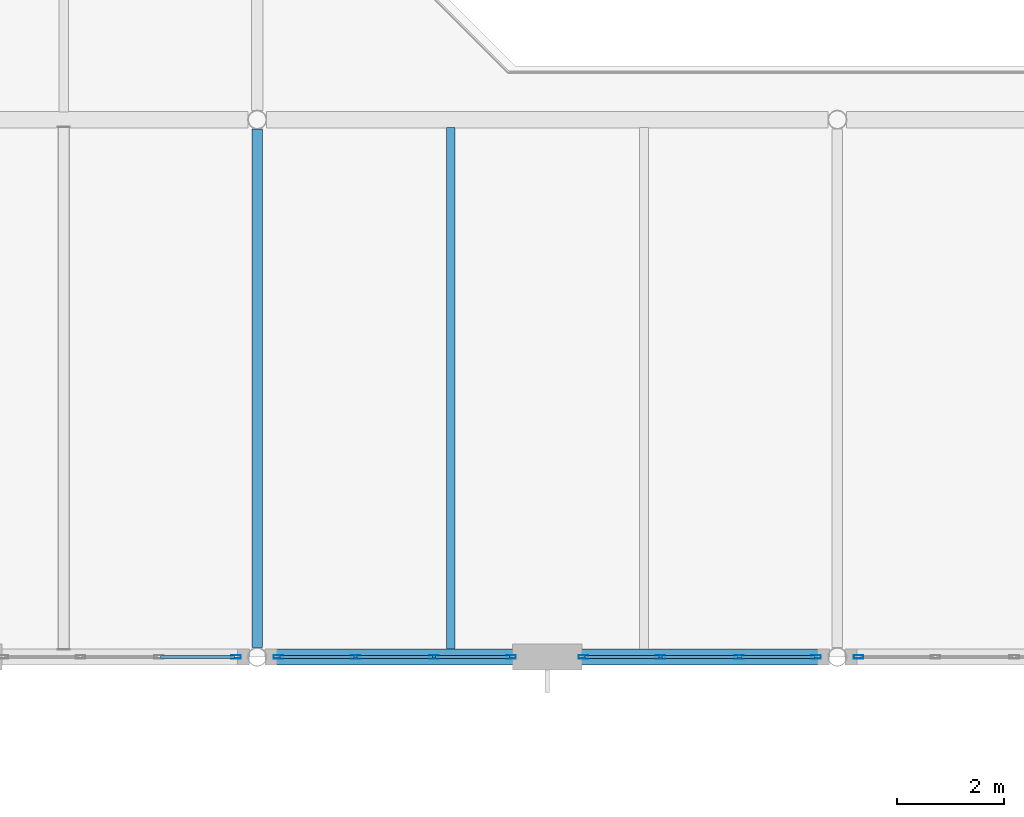
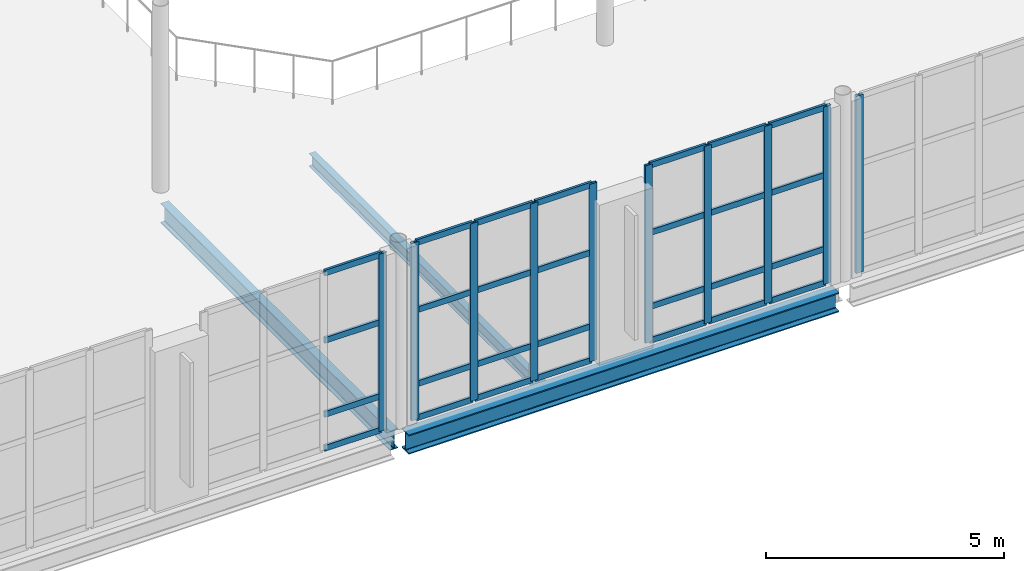
# One storey, part 28 of 100: 38 members, 3 beams, 4 elements without a shape of their own.
"""IFC4 building model written with IfcOpenShell, lengths in metres."""

from ifc_helpers import new_model, si_unit, direction, frame, origin, origin_2d, place, context, subcontext, project, spatial, hollow_rectangle, i_section, extrude, material, layer, layer_set, material_profile, profile_set, type_object, element, aggregate, save


model = new_model("IFC4")

# Units and contexts
model_context = context("Model", 3, precision=1e-05, world=origin(), true_north=direction((0.0, 1.0)))
body_context = subcontext(model_context, "Body", "Model", "MODEL_VIEW")
ifc_project = project(units=[si_unit("LENGTHUNIT", "METRE"), si_unit("AREAUNIT", "SQUARE_METRE"), si_unit("VOLUMEUNIT", "CUBIC_METRE"), si_unit("PLANEANGLEUNIT", "RADIAN"), si_unit("MASSUNIT", "GRAM", prefix="KILO")], contexts=[model_context])

# Site, building, storey
site_placement = place(None, origin())
site = spatial("IfcSite", under=ifc_project, at=site_placement, CompositionType="ELEMENT")
building_placement = place(site_placement, origin())
building = spatial("IfcBuilding", under=site, at=building_placement, Name="Tasgan Crest Museum", CompositionType="ELEMENT")
storey_placement = place(building_placement, frame((0.0, 0.0, 9.60009765625)))
storey = spatial("IfcBuildingStorey", under=building, at=storey_placement, Name="L02", CompositionType="ELEMENT", Elevation=9.60009765625)

# Beams
ifc_material_1 = material(Name="Steel S355J2", Category="steel")
ifc_material_profile_1 = material_profile(ifc_material_1, i_section(OverallWidth=0.300048828125, OverallDepth=0.5, WebThickness=0.014404296875, FlangeThickness=0.028076171875, FilletRadius=0.027099609375, at=origin_2d()), Name="HEB 500")
ifc_profile_set_1 = profile_set([ifc_material_profile_1], Name="Steel S355J2")
beam_type_1 = type_object("IfcBeamType", Name="BM-G-HEB500", PredefinedType="BEAM", material=ifc_profile_set_1)
beam_1_placement = place(storey_placement, frame((64.973876953125, 40.0, -0.489990234375), z_axis=(1.0, 0.0, 0.0), x_axis=(0.0, 1.0, 0.0)))
element("IfcBeam", 1, at=beam_1_placement, inside=storey, type_object=beam_type_1, Name="Girder L02 E 64.8-75.6", PredefinedType="BEAM", context=body_context, shape_type="SweptSolid", body=[
    extrude(i_section(OverallWidth=0.300048828125, OverallDepth=0.5, WebThickness=0.014404296875, FlangeThickness=0.028076171875, FilletRadius=0.027099609375, at=origin_2d()), origin(), (0.0, 0.0, 1.0), 10.452392578125),
])
ifc_material_2 = material(Name="Steel S355J2", Category="steel")
ifc_material_profile_2 = material_profile(ifc_material_2, i_section(OverallWidth=0.199951171875, OverallDepth=0.5, WebThickness=0.01025390625, FlangeThickness=0.01611328125, FilletRadius=0.02099609375, at=origin_2d()), Name="IPE 500")
ifc_profile_set_2 = profile_set([ifc_material_profile_2], Name="Steel S355J2")
beam_type_2 = type_object("IfcBeamType", Name="BM-G-IPE500", PredefinedType="BEAM", material=ifc_profile_set_2)
beam_2_placement = place(storey_placement, frame((64.800048828125, 40.1728515625, -0.489990234375), z_axis=(0.0, 1.0, 0.0), x_axis=(-1.0, 0.0, 0.0)))
element("IfcBeam", 2, at=beam_2_placement, inside=storey, type_object=beam_type_2, Name="Beam L02 7 40.0-50.0", PredefinedType="BEAM", context=body_context, shape_type="SweptSolid", body=[
    extrude(i_section(OverallWidth=0.199951171875, OverallDepth=0.5, WebThickness=0.01025390625, FlangeThickness=0.01611328125, FilletRadius=0.02099609375, at=origin_2d()), origin(), (0.0, 0.0, 1.0), 9.654296875),
])
ifc_material_3 = material(Name="Steel S355J2", Category="steel")
ifc_material_profile_3 = material_profile(ifc_material_3, i_section(OverallWidth=0.159912109375, OverallDepth=0.330078125, WebThickness=0.007568359375, FlangeThickness=0.011474609375, FilletRadius=0.01806640625, at=origin_2d()), Name="IPE 330")
ifc_profile_set_3 = profile_set([ifc_material_profile_3], Name="Steel S355J2")
beam_type_3 = type_object("IfcBeamType", Name="BM-J-IPE330", PredefinedType="JOIST", material=ifc_profile_set_3)
beam_3_placement = place(storey_placement, frame((68.39990234375, 40.14501953125, -0.405029296875), z_axis=(0.0, 1.0, 0.0), x_axis=(-1.0, 0.0, 0.0)))
element("IfcBeam", 3, at=beam_3_placement, inside=storey, type_object=beam_type_3, Name="Secondary joist L02 X=68.4 Y=40.0-50.0", PredefinedType="JOIST", context=body_context, shape_type="SweptSolid", body=[
    extrude(i_section(OverallWidth=0.159912109375, OverallDepth=0.330078125, WebThickness=0.007568359375, FlangeThickness=0.011474609375, FilletRadius=0.01806640625, at=origin_2d()), origin(), (0.0, 0.0, 1.0), 9.7099609375),
])

# Curtain wall, member
ifc_material_4 = material(Name="Triple-Glazed Aluminium Curtain Wall", Category="aluminium")
ifc_layer = layer(ifc_material_4, 0.179931640625, Name="CW-DRUM-X-48")
ifc_layer_set = layer_set([ifc_layer], Name="Triple-Glazed Aluminium Curtain Wall")
curtain_wall_type = type_object("IfcCurtainWallType", Name="CW-DRUM-X-48", PredefinedType="NOTDEFINED", material=ifc_layer_set)
curtain_wall_1_placement = place(storey_placement, origin())
curtain_wall_1 = element("IfcCurtainWall", 4, at=curtain_wall_1_placement, inside=storey, type_object=curtain_wall_type, Name="Curtain wall L02 102", PredefinedType="NOTDEFINED")
ifc_material_5 = material(Name="Anodised Aluminium", Category="aluminium")
ifc_material_profile_4 = material_profile(ifc_material_5, hollow_rectangle(XDim=0.06494140625, YDim=0.179931640625, WallThickness=0.0048828125, at=origin_2d()), Name="ALU MULLION 180x65x5")
ifc_profile_set_4 = profile_set([ifc_material_profile_4], Name="Anodised Aluminium")
member_type_1 = type_object("IfcMemberType", Name="CW-MULLION-180", PredefinedType="MULLION", material=ifc_profile_set_4)
member_1_placement = place(storey_placement, frame((64.405029296875, 40.0, 0.0), z_axis=(0.0, 0.0, 1.0), x_axis=(0.0, 1.0, 0.0)))
member_1 = element("IfcMember", 5, at=member_1_placement, type_object=member_type_1, Name="CW03 mullion 4", PredefinedType="MULLION", context=body_context, shape_type="SweptSolid", body=[
    extrude(hollow_rectangle(XDim=0.06494140625, YDim=0.179931640625, WallThickness=0.0048828125, at=origin_2d()), origin(), (0.0, 0.0, 1.0), 4.559814453125),
])

# Curtain wall, members
curtain_wall_2_placement = place(storey_placement, origin())
curtain_wall_2 = element("IfcCurtainWall", 6, at=curtain_wall_2_placement, inside=storey, type_object=curtain_wall_type, Name="Curtain wall L02 103", PredefinedType="NOTDEFINED")
member_2_placement = place(storey_placement, frame((65.195068359375, 40.0, 0.0), z_axis=(0.0, 0.0, 1.0), x_axis=(0.0, 1.0, 0.0)))
member_2 = element("IfcMember", 7, at=member_2_placement, type_object=member_type_1, Name="CW03 mullion 1", PredefinedType="MULLION", context=body_context, shape_type="SweptSolid", body=[
    extrude(hollow_rectangle(XDim=0.06494140625, YDim=0.179931640625, WallThickness=0.0048828125, at=origin_2d()), origin(), (0.0, 0.0, 1.0), 4.559814453125),
])
member_3_placement = place(storey_placement, frame((66.62841796875, 40.0, 0.0), z_axis=(0.0, 0.0, 1.0), x_axis=(0.0, 1.0, 0.0)))
member_3 = element("IfcMember", 8, at=member_3_placement, type_object=member_type_1, Name="CW03 mullion 2", PredefinedType="MULLION", context=body_context, shape_type="SweptSolid", body=[
    extrude(hollow_rectangle(XDim=0.06494140625, YDim=0.179931640625, WallThickness=0.0048828125, at=origin_2d()), origin(), (0.0, 0.0, 1.0), 4.559814453125),
])
member_4_placement = place(storey_placement, frame((68.091552734375, 40.0, 0.0), z_axis=(0.0, 0.0, 1.0), x_axis=(0.0, 1.0, 0.0)))
member_4 = element("IfcMember", 9, at=member_4_placement, type_object=member_type_1, Name="CW03 mullion 3", PredefinedType="MULLION", context=body_context, shape_type="SweptSolid", body=[
    extrude(hollow_rectangle(XDim=0.06494140625, YDim=0.179931640625, WallThickness=0.0048828125, at=origin_2d()), origin(), (0.0, 0.0, 1.0), 4.559814453125),
])
member_5_placement = place(storey_placement, frame((69.52490234375, 40.0, 0.0), z_axis=(0.0, 0.0, 1.0), x_axis=(0.0, 1.0, 0.0)))
member_5 = element("IfcMember", 10, at=member_5_placement, type_object=member_type_1, Name="CW03 mullion 4", PredefinedType="MULLION", context=body_context, shape_type="SweptSolid", body=[
    extrude(hollow_rectangle(XDim=0.06494140625, YDim=0.179931640625, WallThickness=0.0048828125, at=origin_2d()), origin(), (0.0, 0.0, 1.0), 4.559814453125),
])

curtain_wall_3_placement = place(storey_placement, origin())
curtain_wall_3 = element("IfcCurtainWall", 11, at=curtain_wall_3_placement, inside=storey, type_object=curtain_wall_type, Name="Curtain wall L02 104", PredefinedType="NOTDEFINED")
member_6_placement = place(storey_placement, frame((70.875, 40.0, 0.0), z_axis=(0.0, 0.0, 1.0), x_axis=(0.0, 1.0, 0.0)))
member_6 = element("IfcMember", 12, at=member_6_placement, type_object=member_type_1, Name="CW03 mullion 1", PredefinedType="MULLION", context=body_context, shape_type="SweptSolid", body=[
    extrude(hollow_rectangle(XDim=0.06494140625, YDim=0.179931640625, WallThickness=0.0048828125, at=origin_2d()), origin(), (0.0, 0.0, 1.0), 4.559814453125),
])
member_7_placement = place(storey_placement, frame((72.308349609375, 40.0, 0.0), z_axis=(0.0, 0.0, 1.0), x_axis=(0.0, 1.0, 0.0)))
member_7 = element("IfcMember", 13, at=member_7_placement, type_object=member_type_1, Name="CW03 mullion 2", PredefinedType="MULLION", context=body_context, shape_type="SweptSolid", body=[
    extrude(hollow_rectangle(XDim=0.06494140625, YDim=0.179931640625, WallThickness=0.0048828125, at=origin_2d()), origin(), (0.0, 0.0, 1.0), 4.559814453125),
])
member_8_placement = place(storey_placement, frame((73.771728515625, 40.0, 0.0), z_axis=(0.0, 0.0, 1.0), x_axis=(0.0, 1.0, 0.0)))
member_8 = element("IfcMember", 14, at=member_8_placement, type_object=member_type_1, Name="CW03 mullion 3", PredefinedType="MULLION", context=body_context, shape_type="SweptSolid", body=[
    extrude(hollow_rectangle(XDim=0.06494140625, YDim=0.179931640625, WallThickness=0.0048828125, at=origin_2d()), origin(), (0.0, 0.0, 1.0), 4.559814453125),
])
member_9_placement = place(storey_placement, frame((75.205078125, 40.0, 0.0), z_axis=(0.0, 0.0, 1.0), x_axis=(0.0, 1.0, 0.0)))
member_9 = element("IfcMember", 15, at=member_9_placement, type_object=member_type_1, Name="CW03 mullion 4", PredefinedType="MULLION", context=body_context, shape_type="SweptSolid", body=[
    extrude(hollow_rectangle(XDim=0.06494140625, YDim=0.179931640625, WallThickness=0.0048828125, at=origin_2d()), origin(), (0.0, 0.0, 1.0), 4.559814453125),
])

# Curtain wall, member
curtain_wall_4_placement = place(storey_placement, origin())
curtain_wall_4 = element("IfcCurtainWall", 16, at=curtain_wall_4_placement, inside=storey, type_object=curtain_wall_type, Name="Curtain wall L02 105", PredefinedType="NOTDEFINED")
member_10_placement = place(storey_placement, frame((75.9951171875, 40.0, 0.0), z_axis=(0.0, 0.0, 1.0), x_axis=(0.0, 1.0, 0.0)))
member_10 = element("IfcMember", 17, at=member_10_placement, type_object=member_type_1, Name="CW03 mullion 1", PredefinedType="MULLION", context=body_context, shape_type="SweptSolid", body=[
    extrude(hollow_rectangle(XDim=0.06494140625, YDim=0.179931640625, WallThickness=0.0048828125, at=origin_2d()), origin(), (0.0, 0.0, 1.0), 4.559814453125),
])
aggregate(curtain_wall_4, [member_10])

# Member
ifc_material_6 = material(Name="Anodised Aluminium", Category="aluminium")
ifc_material_profile_5 = material_profile(ifc_material_6, hollow_rectangle(XDim=0.06005859375, YDim=0.14990234375, WallThickness=0.0048828125, at=origin_2d()), Name="ALU TRANSOM 150x60x5")
ifc_profile_set_5 = profile_set([ifc_material_profile_5], Name="Anodised Aluminium")
member_type_2 = type_object("IfcMemberType", Name="CW-TRANSOM-150", PredefinedType="USERDEFINED", material=ifc_profile_set_5)
member_11_placement = place(storey_placement, frame((63.001708984375, 40.0, 0.02978515625), z_axis=(1.0, 0.0, 0.0), x_axis=(0.0, 1.0, 0.0)))
member_11 = element("IfcMember", 18, at=member_11_placement, type_object=member_type_2, Name="CW03 transom 3.1", ObjectType="TRANSOM", PredefinedType="USERDEFINED", context=body_context, shape_type="SweptSolid", body=[
    extrude(hollow_rectangle(XDim=0.06005859375, YDim=0.14990234375, WallThickness=0.0048828125, at=origin_2d()), origin(), (0.0, 0.0, 1.0), 1.373291015625),
])

member_12_placement = place(storey_placement, frame((63.001708984375, 40.0, 0.89990234375), z_axis=(1.0, 0.0, 0.0), x_axis=(0.0, 1.0, 0.0)))
member_12 = element("IfcMember", 19, at=member_12_placement, type_object=member_type_2, Name="CW03 transom 3.2", ObjectType="TRANSOM", PredefinedType="USERDEFINED", context=body_context, shape_type="SweptSolid", body=[
    extrude(hollow_rectangle(XDim=0.06005859375, YDim=0.14990234375, WallThickness=0.0048828125, at=origin_2d()), origin(), (0.0, 0.0, 1.0), 1.373291015625),
])

member_13_placement = place(storey_placement, frame((63.001708984375, 40.0, 2.7998046875), z_axis=(1.0, 0.0, 0.0), x_axis=(0.0, 1.0, 0.0)))
member_13 = element("IfcMember", 20, at=member_13_placement, type_object=member_type_2, Name="CW03 transom 3.3", ObjectType="TRANSOM", PredefinedType="USERDEFINED", context=body_context, shape_type="SweptSolid", body=[
    extrude(hollow_rectangle(XDim=0.06005859375, YDim=0.14990234375, WallThickness=0.0048828125, at=origin_2d()), origin(), (0.0, 0.0, 1.0), 1.373291015625),
])

member_14_placement = place(storey_placement, frame((63.001708984375, 40.0, 4.52978515625), z_axis=(1.0, 0.0, 0.0), x_axis=(0.0, 1.0, 0.0)))
member_14 = element("IfcMember", 21, at=member_14_placement, type_object=member_type_2, Name="CW03 transom 3.4", ObjectType="TRANSOM", PredefinedType="USERDEFINED", context=body_context, shape_type="SweptSolid", body=[
    extrude(hollow_rectangle(XDim=0.06005859375, YDim=0.14990234375, WallThickness=0.0048828125, at=origin_2d()), origin(), (0.0, 0.0, 1.0), 1.373291015625),
])

aggregate(curtain_wall_1, [member_1, member_11, member_12, member_13, member_14])

member_15_placement = place(storey_placement, frame((65.22509765625, 40.0, 0.02978515625), z_axis=(1.0, 0.0, 0.0), x_axis=(0.0, 1.0, 0.0)))
member_15 = element("IfcMember", 22, at=member_15_placement, type_object=member_type_2, Name="CW03 transom 1.1", ObjectType="TRANSOM", PredefinedType="USERDEFINED", context=body_context, shape_type="SweptSolid", body=[
    extrude(hollow_rectangle(XDim=0.06005859375, YDim=0.14990234375, WallThickness=0.0048828125, at=origin_2d()), origin(), (0.0, 0.0, 1.0), 1.373291015625),
])

member_16_placement = place(storey_placement, frame((65.22509765625, 40.0, 0.89990234375), z_axis=(1.0, 0.0, 0.0), x_axis=(0.0, 1.0, 0.0)))
member_16 = element("IfcMember", 23, at=member_16_placement, type_object=member_type_2, Name="CW03 transom 1.2", ObjectType="TRANSOM", PredefinedType="USERDEFINED", context=body_context, shape_type="SweptSolid", body=[
    extrude(hollow_rectangle(XDim=0.06005859375, YDim=0.14990234375, WallThickness=0.0048828125, at=origin_2d()), origin(), (0.0, 0.0, 1.0), 1.373291015625),
])

member_17_placement = place(storey_placement, frame((65.22509765625, 40.0, 2.7998046875), z_axis=(1.0, 0.0, 0.0), x_axis=(0.0, 1.0, 0.0)))
member_17 = element("IfcMember", 24, at=member_17_placement, type_object=member_type_2, Name="CW03 transom 1.3", ObjectType="TRANSOM", PredefinedType="USERDEFINED", context=body_context, shape_type="SweptSolid", body=[
    extrude(hollow_rectangle(XDim=0.06005859375, YDim=0.14990234375, WallThickness=0.0048828125, at=origin_2d()), origin(), (0.0, 0.0, 1.0), 1.373291015625),
])

member_18_placement = place(storey_placement, frame((65.22509765625, 40.0, 4.52978515625), z_axis=(1.0, 0.0, 0.0), x_axis=(0.0, 1.0, 0.0)))
member_18 = element("IfcMember", 25, at=member_18_placement, type_object=member_type_2, Name="CW03 transom 1.4", ObjectType="TRANSOM", PredefinedType="USERDEFINED", context=body_context, shape_type="SweptSolid", body=[
    extrude(hollow_rectangle(XDim=0.06005859375, YDim=0.14990234375, WallThickness=0.0048828125, at=origin_2d()), origin(), (0.0, 0.0, 1.0), 1.373291015625),
])

member_19_placement = place(storey_placement, frame((66.658447265625, 40.0, 0.02978515625), z_axis=(1.0, 0.0, 0.0), x_axis=(0.0, 1.0, 0.0)))
member_19 = element("IfcMember", 26, at=member_19_placement, type_object=member_type_2, Name="CW03 transom 2.1", ObjectType="TRANSOM", PredefinedType="USERDEFINED", context=body_context, shape_type="SweptSolid", body=[
    extrude(hollow_rectangle(XDim=0.06005859375, YDim=0.14990234375, WallThickness=0.0048828125, at=origin_2d()), origin(), (0.0, 0.0, 1.0), 1.4033203125),
])

member_20_placement = place(storey_placement, frame((66.658447265625, 40.0, 0.89990234375), z_axis=(1.0, 0.0, 0.0), x_axis=(0.0, 1.0, 0.0)))
member_20 = element("IfcMember", 27, at=member_20_placement, type_object=member_type_2, Name="CW03 transom 2.2", ObjectType="TRANSOM", PredefinedType="USERDEFINED", context=body_context, shape_type="SweptSolid", body=[
    extrude(hollow_rectangle(XDim=0.06005859375, YDim=0.14990234375, WallThickness=0.0048828125, at=origin_2d()), origin(), (0.0, 0.0, 1.0), 1.4033203125),
])

member_21_placement = place(storey_placement, frame((66.658447265625, 40.0, 2.7998046875), z_axis=(1.0, 0.0, 0.0), x_axis=(0.0, 1.0, 0.0)))
member_21 = element("IfcMember", 28, at=member_21_placement, type_object=member_type_2, Name="CW03 transom 2.3", ObjectType="TRANSOM", PredefinedType="USERDEFINED", context=body_context, shape_type="SweptSolid", body=[
    extrude(hollow_rectangle(XDim=0.06005859375, YDim=0.14990234375, WallThickness=0.0048828125, at=origin_2d()), origin(), (0.0, 0.0, 1.0), 1.4033203125),
])

member_22_placement = place(storey_placement, frame((66.658447265625, 40.0, 4.52978515625), z_axis=(1.0, 0.0, 0.0), x_axis=(0.0, 1.0, 0.0)))
member_22 = element("IfcMember", 29, at=member_22_placement, type_object=member_type_2, Name="CW03 transom 2.4", ObjectType="TRANSOM", PredefinedType="USERDEFINED", context=body_context, shape_type="SweptSolid", body=[
    extrude(hollow_rectangle(XDim=0.06005859375, YDim=0.14990234375, WallThickness=0.0048828125, at=origin_2d()), origin(), (0.0, 0.0, 1.0), 1.4033203125),
])

member_23_placement = place(storey_placement, frame((68.12158203125, 40.0, 0.02978515625), z_axis=(1.0, 0.0, 0.0), x_axis=(0.0, 1.0, 0.0)))
member_23 = element("IfcMember", 30, at=member_23_placement, type_object=member_type_2, Name="CW03 transom 3.1", ObjectType="TRANSOM", PredefinedType="USERDEFINED", context=body_context, shape_type="SweptSolid", body=[
    extrude(hollow_rectangle(XDim=0.06005859375, YDim=0.14990234375, WallThickness=0.0048828125, at=origin_2d()), origin(), (0.0, 0.0, 1.0), 1.37353515625),
])

member_24_placement = place(storey_placement, frame((68.12158203125, 40.0, 0.89990234375), z_axis=(1.0, 0.0, 0.0), x_axis=(0.0, 1.0, 0.0)))
member_24 = element("IfcMember", 31, at=member_24_placement, type_object=member_type_2, Name="CW03 transom 3.2", ObjectType="TRANSOM", PredefinedType="USERDEFINED", context=body_context, shape_type="SweptSolid", body=[
    extrude(hollow_rectangle(XDim=0.06005859375, YDim=0.14990234375, WallThickness=0.0048828125, at=origin_2d()), origin(), (0.0, 0.0, 1.0), 1.37353515625),
])

member_25_placement = place(storey_placement, frame((68.12158203125, 40.0, 2.7998046875), z_axis=(1.0, 0.0, 0.0), x_axis=(0.0, 1.0, 0.0)))
member_25 = element("IfcMember", 32, at=member_25_placement, type_object=member_type_2, Name="CW03 transom 3.3", ObjectType="TRANSOM", PredefinedType="USERDEFINED", context=body_context, shape_type="SweptSolid", body=[
    extrude(hollow_rectangle(XDim=0.06005859375, YDim=0.14990234375, WallThickness=0.0048828125, at=origin_2d()), origin(), (0.0, 0.0, 1.0), 1.37353515625),
])

member_26_placement = place(storey_placement, frame((68.12158203125, 40.0, 4.52978515625), z_axis=(1.0, 0.0, 0.0), x_axis=(0.0, 1.0, 0.0)))
member_26 = element("IfcMember", 33, at=member_26_placement, type_object=member_type_2, Name="CW03 transom 3.4", ObjectType="TRANSOM", PredefinedType="USERDEFINED", context=body_context, shape_type="SweptSolid", body=[
    extrude(hollow_rectangle(XDim=0.06005859375, YDim=0.14990234375, WallThickness=0.0048828125, at=origin_2d()), origin(), (0.0, 0.0, 1.0), 1.37353515625),
])

aggregate(curtain_wall_2, [member_2, member_3, member_4, member_5, member_15, member_16, member_17, member_18, member_19, member_20, member_21, member_22, member_23, member_24, member_25, member_26])

member_27_placement = place(storey_placement, frame((70.905029296875, 40.0, 0.02978515625), z_axis=(1.0, 0.0, 0.0), x_axis=(0.0, 1.0, 0.0)))
member_27 = element("IfcMember", 34, at=member_27_placement, type_object=member_type_2, Name="CW03 transom 1.1", ObjectType="TRANSOM", PredefinedType="USERDEFINED", context=body_context, shape_type="SweptSolid", body=[
    extrude(hollow_rectangle(XDim=0.06005859375, YDim=0.14990234375, WallThickness=0.0048828125, at=origin_2d()), origin(), (0.0, 0.0, 1.0), 1.373291015625),
])

member_28_placement = place(storey_placement, frame((70.905029296875, 40.0, 0.89990234375), z_axis=(1.0, 0.0, 0.0), x_axis=(0.0, 1.0, 0.0)))
member_28 = element("IfcMember", 35, at=member_28_placement, type_object=member_type_2, Name="CW03 transom 1.2", ObjectType="TRANSOM", PredefinedType="USERDEFINED", context=body_context, shape_type="SweptSolid", body=[
    extrude(hollow_rectangle(XDim=0.06005859375, YDim=0.14990234375, WallThickness=0.0048828125, at=origin_2d()), origin(), (0.0, 0.0, 1.0), 1.373291015625),
])

member_29_placement = place(storey_placement, frame((70.905029296875, 40.0, 2.7998046875), z_axis=(1.0, 0.0, 0.0), x_axis=(0.0, 1.0, 0.0)))
member_29 = element("IfcMember", 36, at=member_29_placement, type_object=member_type_2, Name="CW03 transom 1.3", ObjectType="TRANSOM", PredefinedType="USERDEFINED", context=body_context, shape_type="SweptSolid", body=[
    extrude(hollow_rectangle(XDim=0.06005859375, YDim=0.14990234375, WallThickness=0.0048828125, at=origin_2d()), origin(), (0.0, 0.0, 1.0), 1.373291015625),
])

member_30_placement = place(storey_placement, frame((70.905029296875, 40.0, 4.52978515625), z_axis=(1.0, 0.0, 0.0), x_axis=(0.0, 1.0, 0.0)))
member_30 = element("IfcMember", 37, at=member_30_placement, type_object=member_type_2, Name="CW03 transom 1.4", ObjectType="TRANSOM", PredefinedType="USERDEFINED", context=body_context, shape_type="SweptSolid", body=[
    extrude(hollow_rectangle(XDim=0.06005859375, YDim=0.14990234375, WallThickness=0.0048828125, at=origin_2d()), origin(), (0.0, 0.0, 1.0), 1.373291015625),
])

member_31_placement = place(storey_placement, frame((72.33837890625, 40.0, 0.02978515625), z_axis=(1.0, 0.0, 0.0), x_axis=(0.0, 1.0, 0.0)))
member_31 = element("IfcMember", 38, at=member_31_placement, type_object=member_type_2, Name="CW03 transom 2.1", ObjectType="TRANSOM", PredefinedType="USERDEFINED", context=body_context, shape_type="SweptSolid", body=[
    extrude(hollow_rectangle(XDim=0.06005859375, YDim=0.14990234375, WallThickness=0.0048828125, at=origin_2d()), origin(), (0.0, 0.0, 1.0), 1.4033203125),
])

member_32_placement = place(storey_placement, frame((72.33837890625, 40.0, 0.89990234375), z_axis=(1.0, 0.0, 0.0), x_axis=(0.0, 1.0, 0.0)))
member_32 = element("IfcMember", 39, at=member_32_placement, type_object=member_type_2, Name="CW03 transom 2.2", ObjectType="TRANSOM", PredefinedType="USERDEFINED", context=body_context, shape_type="SweptSolid", body=[
    extrude(hollow_rectangle(XDim=0.06005859375, YDim=0.14990234375, WallThickness=0.0048828125, at=origin_2d()), origin(), (0.0, 0.0, 1.0), 1.4033203125),
])

member_33_placement = place(storey_placement, frame((72.33837890625, 40.0, 2.7998046875), z_axis=(1.0, 0.0, 0.0), x_axis=(0.0, 1.0, 0.0)))
member_33 = element("IfcMember", 40, at=member_33_placement, type_object=member_type_2, Name="CW03 transom 2.3", ObjectType="TRANSOM", PredefinedType="USERDEFINED", context=body_context, shape_type="SweptSolid", body=[
    extrude(hollow_rectangle(XDim=0.06005859375, YDim=0.14990234375, WallThickness=0.0048828125, at=origin_2d()), origin(), (0.0, 0.0, 1.0), 1.4033203125),
])

member_34_placement = place(storey_placement, frame((72.33837890625, 40.0, 4.52978515625), z_axis=(1.0, 0.0, 0.0), x_axis=(0.0, 1.0, 0.0)))
member_34 = element("IfcMember", 41, at=member_34_placement, type_object=member_type_2, Name="CW03 transom 2.4", ObjectType="TRANSOM", PredefinedType="USERDEFINED", context=body_context, shape_type="SweptSolid", body=[
    extrude(hollow_rectangle(XDim=0.06005859375, YDim=0.14990234375, WallThickness=0.0048828125, at=origin_2d()), origin(), (0.0, 0.0, 1.0), 1.4033203125),
])

member_35_placement = place(storey_placement, frame((73.8017578125, 40.0, 0.02978515625), z_axis=(1.0, 0.0, 0.0), x_axis=(0.0, 1.0, 0.0)))
member_35 = element("IfcMember", 42, at=member_35_placement, type_object=member_type_2, Name="CW03 transom 3.1", ObjectType="TRANSOM", PredefinedType="USERDEFINED", context=body_context, shape_type="SweptSolid", body=[
    extrude(hollow_rectangle(XDim=0.06005859375, YDim=0.14990234375, WallThickness=0.0048828125, at=origin_2d()), origin(), (0.0, 0.0, 1.0), 1.373291015625),
])

member_36_placement = place(storey_placement, frame((73.8017578125, 40.0, 0.89990234375), z_axis=(1.0, 0.0, 0.0), x_axis=(0.0, 1.0, 0.0)))
member_36 = element("IfcMember", 43, at=member_36_placement, type_object=member_type_2, Name="CW03 transom 3.2", ObjectType="TRANSOM", PredefinedType="USERDEFINED", context=body_context, shape_type="SweptSolid", body=[
    extrude(hollow_rectangle(XDim=0.06005859375, YDim=0.14990234375, WallThickness=0.0048828125, at=origin_2d()), origin(), (0.0, 0.0, 1.0), 1.373291015625),
])

member_37_placement = place(storey_placement, frame((73.8017578125, 40.0, 2.7998046875), z_axis=(1.0, 0.0, 0.0), x_axis=(0.0, 1.0, 0.0)))
member_37 = element("IfcMember", 44, at=member_37_placement, type_object=member_type_2, Name="CW03 transom 3.3", ObjectType="TRANSOM", PredefinedType="USERDEFINED", context=body_context, shape_type="SweptSolid", body=[
    extrude(hollow_rectangle(XDim=0.06005859375, YDim=0.14990234375, WallThickness=0.0048828125, at=origin_2d()), origin(), (0.0, 0.0, 1.0), 1.373291015625),
])

member_38_placement = place(storey_placement, frame((73.8017578125, 40.0, 4.52978515625), z_axis=(1.0, 0.0, 0.0), x_axis=(0.0, 1.0, 0.0)))
member_38 = element("IfcMember", 45, at=member_38_placement, type_object=member_type_2, Name="CW03 transom 3.4", ObjectType="TRANSOM", PredefinedType="USERDEFINED", context=body_context, shape_type="SweptSolid", body=[
    extrude(hollow_rectangle(XDim=0.06005859375, YDim=0.14990234375, WallThickness=0.0048828125, at=origin_2d()), origin(), (0.0, 0.0, 1.0), 1.373291015625),
])

aggregate(curtain_wall_3, [member_6, member_7, member_8, member_9, member_27, member_28, member_29, member_30, member_31, member_32, member_33, member_34, member_35, member_36, member_37, member_38])

save(model, "model.ifc")
